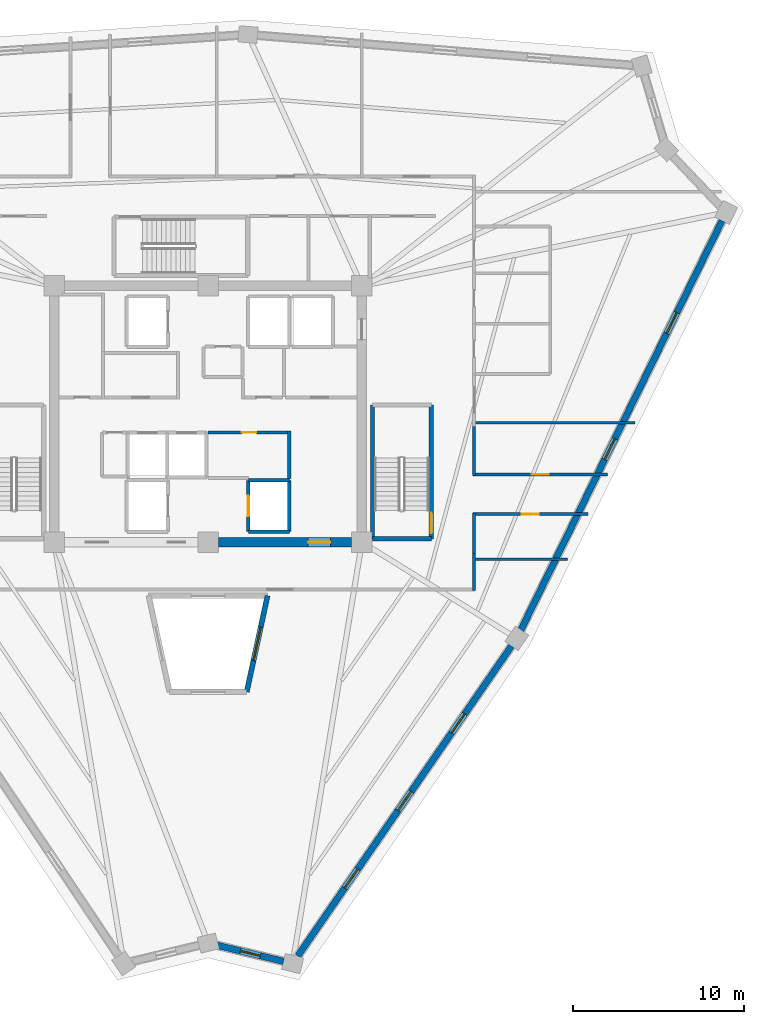
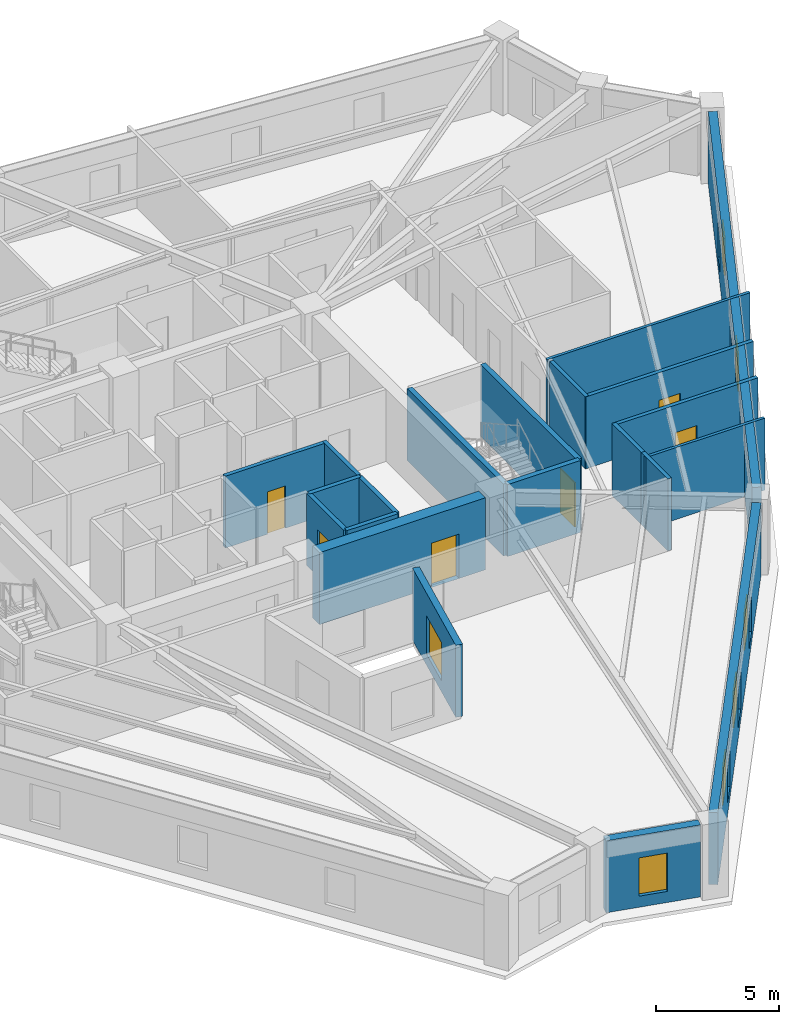
# One storey, part 4 of 8: 21 walls, 7 windows, 6 doors, 13 openings.
"""IFC4 building model written with IfcOpenShell, lengths in metres."""

from ifc_helpers import new_model, si_unit, direction, frame, frame_2d, origin, place, context, subcontext, project, spatial, rectangle, extrude, source, transform, mapped, material, layer, layer_set, type_object, element, fill, save


model = new_model("IFC4")

# Units and contexts
model_context = context("Model", 3, precision=1e-05, world=origin(), true_north=direction((0.0, 1.0)))
body_context = subcontext(model_context, "Body", "Model", "MODEL_VIEW")
ifc_project = project(units=[si_unit("LENGTHUNIT", "METRE"), si_unit("AREAUNIT", "SQUARE_METRE"), si_unit("VOLUMEUNIT", "CUBIC_METRE"), si_unit("PLANEANGLEUNIT", "RADIAN"), si_unit("MASSUNIT", "GRAM", prefix="KILO")], contexts=[model_context])

# Site, building, storey
site_placement = place(None, origin())
site = spatial("IfcSite", under=ifc_project, at=site_placement, CompositionType="ELEMENT")
building_placement = place(site_placement, origin())
building = spatial("IfcBuilding", under=site, at=building_placement, Name="Liaohun Quay Tower", CompositionType="ELEMENT")
storey_placement = place(building_placement, frame((0.0, 0.0, 301.5)))
storey = spatial("IfcBuildingStorey", under=building, at=storey_placement, Name="L78", CompositionType="ELEMENT", Elevation=301.5)

# Wall, opening, window
ifc_material_1 = material(Name="Concrete C50", Category="concrete")
ifc_layer_1 = layer(ifc_material_1, 0.300048828125, Name="Concrete C50", Category="concrete")
ifc_layer_set_1 = layer_set([ifc_layer_1], Name="Concrete C50")
wall_type_1 = type_object("IfcWallType", Name="WAL-ATR-300", PredefinedType="SOLIDWALL", material=ifc_layer_set_1)
wall_1_placement = place(storey_placement, frame((63.47900390625, 43.3701171875, 0.0), z_axis=(0.0, 0.0, 1.0), x_axis=(-0.211447694839, -0.977389314627, 0.0)))
wall_1 = element("IfcWall", 1, at=wall_1_placement, inside=storey, type_object=wall_type_1, Name="L78 Atrium Fire Compartment Wall 3", PredefinedType="SOLIDWALL", context=body_context, shape_type="SweptSolid", body=[
    extrude(rectangle(XDim=5.76025390625, YDim=0.300048828125, at=frame_2d((2.880126953125, 0.0))), origin(), (0.0, 0.0, 1.0), 3.570068359375),
])
shared_shape_1 = source(origin(), body_context, "Body", "SweptSolid", [
    extrude(rectangle(XDim=2.0, YDim=1.89990234375, at=frame_2d((1.0, 0.949951171875))), frame((0.0, 0.159912109375, 0.0), z_axis=(0.0, -1.0, 0.0), x_axis=(1.0, 0.0, 0.0)), (0.0, 0.0, 1.0), 0.320068359375),
])
opening_1_placement = place(wall_1_placement, frame((1.8798828125, 0.0, 0.550048828125)))
opening_1 = element("IfcOpeningElement", 2, at=opening_1_placement, cuts=wall_1, Name="Opening W07", PredefinedType="OPENING", context=body_context, shape_type="MappedRepresentation", body=[
    mapped(shared_shape_1, transform((0.0, 0.0, 0.0), x_axis=(1.0, 0.0, 0.0), y_axis=(0.0, 1.0, 0.0), z_axis=(0.0, 0.0, 1.0), scale=1.0)),
])
ifc_material_2 = material(Name="Class A 180-min fire-resistant insulated glazing", Category="glass")
window_type_1 = type_object("IfcWindowType", Name="WIN-ATR-FIR", PartitioningType="DOUBLE_PANEL_VERTICAL", PredefinedType="WINDOW", material=ifc_material_2)
shared_shape_2 = source(origin(), body_context, "Body", "SweptSolid", [
    extrude(rectangle(XDim=2.0, YDim=1.89990234375, at=frame_2d((1.0, 0.949951171875))), frame((0.0, 0.030029296875, 0.0), z_axis=(0.0, -1.0, 0.0), x_axis=(1.0, 0.0, 0.0)), (0.0, 0.0, 1.0), 0.06005859375),
])
window_1_placement = place(opening_1_placement, origin())
window_1 = element("IfcWindow", 3, at=window_1_placement, inside=storey, type_object=window_type_1, Name="L78 Atrium Fire-Resistant Glazing W07-3", OverallHeight=1.89990234375, OverallWidth=2.0, PartitioningType="DOUBLE_PANEL_VERTICAL", PredefinedType="WINDOW", context=body_context, shape_type="MappedRepresentation", body=[
    mapped(shared_shape_2, transform((0.0, 0.0, 0.0), x_axis=(1.0, 0.0, 0.0), y_axis=(0.0, 1.0, 0.0), z_axis=(0.0, 0.0, 1.0), scale=1.0)),
])
fill(opening_1, window_1)

# Wall, opening, door
ifc_layer_2 = layer(ifc_material_1, 0.550048828125, Name="Concrete C50", Category="concrete")
ifc_layer_set_2 = layer_set([ifc_layer_2], Name="Concrete C50")
wall_type_2 = type_object("IfcWallType", Name="WAL-COR-Z4", PredefinedType="SHEAR", material=ifc_layer_set_2)
wall_2_placement = place(storey_placement, frame((68.39990234375, 46.5, 0.0), z_axis=(0.0, 0.0, 1.0), x_axis=(-1.0, 0.0, 0.0)))
wall_2 = element("IfcWall", 4, at=wall_2_placement, inside=storey, type_object=wall_type_2, Name="L78 Central Core Shear Wall S-E", PredefinedType="SHEAR", context=body_context, shape_type="SweptSolid", body=[
    extrude(rectangle(XDim=7.7998046875, YDim=0.550048828125, at=frame_2d((3.89990234375, 0.0))), origin(), (0.0, 0.0, 1.0), 3.570068359375),
])
shared_shape_3 = source(origin(), body_context, "Body", "SweptSolid", [
    extrude(rectangle(XDim=1.300048828125, YDim=2.199951171875, at=frame_2d((0.64990234375, 1.10009765625))), frame((0.0, 0.284912109375, 0.0), z_axis=(0.0, -1.0, 0.0), x_axis=(1.0, 0.0, 0.0)), (0.0, 0.0, 1.0), 0.570068359375),
])
opening_2_placement = place(wall_2_placement, frame((1.25, 0.0, 0.0)))
opening_2 = element("IfcOpeningElement", 5, at=opening_2_placement, cuts=wall_2, Name="Opening FD1", PredefinedType="OPENING", context=body_context, shape_type="MappedRepresentation", body=[
    mapped(shared_shape_3, transform((0.0, 0.0, 0.0), x_axis=(1.0, 0.0, 0.0), y_axis=(0.0, 1.0, 0.0), z_axis=(0.0, 0.0, 1.0), scale=1.0)),
])
ifc_material_3 = material(Name="Galvanised steel smokeproof fire door", Category="steel")
door_type_1 = type_object("IfcDoorType", Name="DOR-FFL-1300", OperationType="NOTDEFINED", PredefinedType="DOOR", material=ifc_material_3)
shared_shape_4 = source(origin(), body_context, "Body", "SweptSolid", [
    extrude(rectangle(XDim=1.300048828125, YDim=2.199951171875, at=frame_2d((0.64990234375, 1.10009765625))), frame((0.0, 0.02490234375, 0.0), z_axis=(0.0, -1.0, 0.0), x_axis=(1.0, 0.0, 0.0)), (0.0, 0.0, 1.0), 0.050048828125),
])
door_1_placement = place(opening_2_placement, origin())
door_1 = element("IfcDoor", 6, at=door_1_placement, inside=storey, type_object=door_type_1, Name="L78 East Core Lift Lobby Smokeproof Door", OperationType="SINGLE_SWING_LEFT", OverallHeight=2.199951171875, OverallWidth=1.300048828125, PredefinedType="DOOR", context=body_context, shape_type="MappedRepresentation", body=[
    mapped(shared_shape_4, transform((0.0, 0.0, 0.0), x_axis=(1.0, 0.0, 0.0), y_axis=(0.0, 1.0, 0.0), z_axis=(0.0, 0.0, 1.0), scale=1.0)),
])
fill(opening_2, door_1)

# Wall, opening, window
ifc_material_4 = material(Name="Precast concrete C50 insulated sandwich", Category="concrete")
ifc_layer_3 = layer(ifc_material_4, 0.3798828125, Name="Precast concrete C50 insulated sandwich", Category="concrete")
ifc_layer_set_3 = layer_set([ifc_layer_3], Name="Precast concrete C50 insulated sandwich")
wall_type_3 = type_object("IfcWallType", Name="WAL-EXT-Z34", PredefinedType="SOLIDWALL", material=ifc_layer_set_3)
wall_3_placement = place(storey_placement, frame((60.52490234375, 22.9130859375, 0.0), z_axis=(0.0, 0.0, 1.0), x_axis=(0.972056339679, -0.234747678348, 0.0)))
wall_3 = element("IfcWall", 7, at=wall_3_placement, inside=storey, type_object=wall_type_3, Name="L78 Brutalist Precast Pier Wall 01", PredefinedType="SOLIDWALL", context=body_context, shape_type="SweptSolid", body=[
    extrude(rectangle(XDim=4.00927734375, YDim=0.3798828125, at=frame_2d((2.004638671875, 0.0))), origin(), (0.0, 0.0, 1.0), 3.570068359375),
])
shared_shape_5 = source(origin(), body_context, "Body", "SweptSolid", [
    extrude(rectangle(XDim=1.199951171875, YDim=1.89990234375, at=frame_2d((0.60009765625, 0.949951171875))), frame((0.0, 0.199951171875, 0.0), z_axis=(0.0, -1.0, 0.0), x_axis=(1.0, 0.0, 0.0)), (0.0, 0.0, 1.0), 0.39990234375),
])
opening_3_placement = place(wall_3_placement, frame((1.405029296875, 0.0, 0.550048828125)))
opening_3 = element("IfcOpeningElement", 8, at=opening_3_placement, cuts=wall_3, Name="Opening W05", PredefinedType="OPENING", context=body_context, shape_type="MappedRepresentation", body=[
    mapped(shared_shape_5, transform((0.0, 0.0, 0.0), x_axis=(1.0, 0.0, 0.0), y_axis=(0.0, 1.0, 0.0), z_axis=(0.0, 0.0, 1.0), scale=1.0)),
])
ifc_material_5 = material(Name="Triple Low-E corner notch glazing", Category="glass")
window_type_2 = type_object("IfcWindowType", Name="WIN-NOTCH", PartitioningType="SINGLE_PANEL", PredefinedType="WINDOW", material=ifc_material_5)
shared_shape_6 = source(origin(), body_context, "Body", "SweptSolid", [
    extrude(rectangle(XDim=1.199951171875, YDim=1.89990234375, at=frame_2d((0.60009765625, 0.949951171875))), frame((0.0, 0.030029296875, 0.0), z_axis=(0.0, -1.0, 0.0), x_axis=(1.0, 0.0, 0.0)), (0.0, 0.0, 1.0), 0.06005859375),
])
window_2_placement = place(opening_3_placement, origin())
window_2 = element("IfcWindow", 9, at=window_2_placement, inside=storey, type_object=window_type_2, Name="L78 Corner Notch Window W05-01", OverallHeight=1.89990234375, OverallWidth=1.199951171875, PartitioningType="SINGLE_PANEL", PredefinedType="WINDOW", context=body_context, shape_type="MappedRepresentation", body=[
    mapped(shared_shape_6, transform((0.0, 0.0, 0.0), x_axis=(1.0, 0.0, 0.0), y_axis=(0.0, 1.0, 0.0), z_axis=(0.0, 0.0, 1.0), scale=1.0)),
])
fill(opening_3, window_2)

# Wall, openings, windows
wall_4_placement = place(storey_placement, frame((65.2529296875, 22.2900390625, 0.0), z_axis=(0.0, 0.0, 1.0), x_axis=(0.567535350135, 0.823349030695, 0.0)))
wall_4 = element("IfcWall", 10, at=wall_4_placement, inside=storey, type_object=wall_type_3, Name="L78 Brutalist Precast Pier Wall 02", PredefinedType="SOLIDWALL", context=body_context, shape_type="SweptSolid", body=[
    extrude(rectangle(XDim=22.03076171875, YDim=0.3798828125, at=frame_2d((11.015380859375, 0.0))), origin(), (0.0, 0.0, 1.0), 3.570068359375),
])
shared_shape_7 = source(origin(), body_context, "Body", "SweptSolid", [
    extrude(rectangle(XDim=1.35009765625, YDim=1.85009765625, at=frame_2d((0.675048828125, 0.925048828125))), frame((0.0, 0.199951171875, 0.0), z_axis=(0.0, -1.0, 0.0), x_axis=(1.0, 0.0, 0.0)), (0.0, 0.0, 1.0), 0.39990234375),
])
opening_4_placement = place(wall_4_placement, frame((4.8330078125, 0.0, 0.550048828125)))
opening_4 = element("IfcOpeningElement", 11, at=opening_4_placement, cuts=wall_4, Name="Opening W04", PredefinedType="OPENING", context=body_context, shape_type="MappedRepresentation", body=[
    mapped(shared_shape_7, transform((0.0, 0.0, 0.0), x_axis=(1.0, 0.0, 0.0), y_axis=(0.0, 1.0, 0.0), z_axis=(0.0, 0.0, 1.0), scale=1.0)),
])
opening_5_placement = place(wall_4_placement, frame((10.340087890625, 0.0, 0.550048828125)))
opening_5 = element("IfcOpeningElement", 12, at=opening_5_placement, cuts=wall_4, Name="Opening W04", PredefinedType="OPENING", context=body_context, shape_type="MappedRepresentation", body=[
    mapped(shared_shape_7, transform((0.0, 0.0, 0.0), x_axis=(1.0, 0.0, 0.0), y_axis=(0.0, 1.0, 0.0), z_axis=(0.0, 0.0, 1.0), scale=1.0)),
])
opening_6_placement = place(wall_4_placement, frame((15.847900390625, 0.0, 0.550048828125)))
opening_6 = element("IfcOpeningElement", 13, at=opening_6_placement, cuts=wall_4, Name="Opening W04", PredefinedType="OPENING", context=body_context, shape_type="MappedRepresentation", body=[
    mapped(shared_shape_7, transform((0.0, 0.0, 0.0), x_axis=(1.0, 0.0, 0.0), y_axis=(0.0, 1.0, 0.0), z_axis=(0.0, 0.0, 1.0), scale=1.0)),
])
ifc_material_6 = material(Name="Triple Low-E argon glazing in thermally broken aluminium", Category="aluminium")
window_type_3 = type_object("IfcWindowType", Name="WIN-PUN-Z4", PartitioningType="SINGLE_PANEL", PredefinedType="WINDOW", material=ifc_material_6)
shared_shape_8 = source(origin(), body_context, "Body", "SweptSolid", [
    extrude(rectangle(XDim=1.35009765625, YDim=1.85009765625, at=frame_2d((0.675048828125, 0.925048828125))), frame((0.0, 0.030029296875, 0.0), z_axis=(0.0, -1.0, 0.0), x_axis=(1.0, 0.0, 0.0)), (0.0, 0.0, 1.0), 0.06005859375),
])
window_3_placement = place(opening_4_placement, origin())
window_3 = element("IfcWindow", 14, at=window_3_placement, inside=storey, type_object=window_type_3, Name="L78 Recessed Cold-Climate Punched Window 02-1", OverallHeight=1.85009765625, OverallWidth=1.35009765625, PartitioningType="SINGLE_PANEL", PredefinedType="WINDOW", context=body_context, shape_type="MappedRepresentation", body=[
    mapped(shared_shape_8, transform((0.0, 0.0, 0.0), x_axis=(1.0, 0.0, 0.0), y_axis=(0.0, 1.0, 0.0), z_axis=(0.0, 0.0, 1.0), scale=1.0)),
])
fill(opening_4, window_3)
window_4_placement = place(opening_5_placement, origin())
window_4 = element("IfcWindow", 15, at=window_4_placement, inside=storey, type_object=window_type_3, Name="L78 Recessed Cold-Climate Punched Window 02-2", OverallHeight=1.85009765625, OverallWidth=1.35009765625, PartitioningType="SINGLE_PANEL", PredefinedType="WINDOW", context=body_context, shape_type="MappedRepresentation", body=[
    mapped(shared_shape_8, transform((0.0, 0.0, 0.0), x_axis=(1.0, 0.0, 0.0), y_axis=(0.0, 1.0, 0.0), z_axis=(0.0, 0.0, 1.0), scale=1.0)),
])
fill(opening_5, window_4)
window_5_placement = place(opening_6_placement, origin())
window_5 = element("IfcWindow", 16, at=window_5_placement, inside=storey, type_object=window_type_3, Name="L78 Recessed Cold-Climate Punched Window 02-3", OverallHeight=1.85009765625, OverallWidth=1.35009765625, PartitioningType="SINGLE_PANEL", PredefinedType="WINDOW", context=body_context, shape_type="MappedRepresentation", body=[
    mapped(shared_shape_8, transform((0.0, 0.0, 0.0), x_axis=(1.0, 0.0, 0.0), y_axis=(0.0, 1.0, 0.0), z_axis=(0.0, 0.0, 1.0), scale=1.0)),
])
fill(opening_6, window_5)

wall_5_placement = place(storey_placement, frame((78.300048828125, 41.35888671875, 0.0), z_axis=(0.0, 0.0, 1.0), x_axis=(0.441159552697, 0.897428687453, 0.0)))
wall_5 = element("IfcWall", 17, at=wall_5_placement, inside=storey, type_object=wall_type_3, Name="L78 Brutalist Precast Pier Wall 03", PredefinedType="SOLIDWALL", context=body_context, shape_type="SweptSolid", body=[
    extrude(rectangle(XDim=26.693115234375, YDim=0.3798828125, at=frame_2d((13.3466796875, 0.0))), origin(), (0.0, 0.0, 1.0), 3.570068359375),
])
opening_7_placement = place(wall_5_placement, frame((11.12109375, 0.0, 0.550048828125)))
opening_7 = element("IfcOpeningElement", 18, at=opening_7_placement, cuts=wall_5, Name="Opening W04", PredefinedType="OPENING", context=body_context, shape_type="MappedRepresentation", body=[
    mapped(shared_shape_7, transform((0.0, 0.0, 0.0), x_axis=(1.0, 0.0, 0.0), y_axis=(0.0, 1.0, 0.0), z_axis=(0.0, 0.0, 1.0), scale=1.0)),
])
opening_8_placement = place(wall_5_placement, frame((19.344970703125, 0.0, 0.550048828125)))
opening_8 = element("IfcOpeningElement", 19, at=opening_8_placement, cuts=wall_5, Name="Opening W04", PredefinedType="OPENING", context=body_context, shape_type="MappedRepresentation", body=[
    mapped(shared_shape_7, transform((0.0, 0.0, 0.0), x_axis=(1.0, 0.0, 0.0), y_axis=(0.0, 1.0, 0.0), z_axis=(0.0, 0.0, 1.0), scale=1.0)),
])
window_6_placement = place(opening_7_placement, origin())
window_6 = element("IfcWindow", 20, at=window_6_placement, inside=storey, type_object=window_type_3, Name="L78 Recessed Cold-Climate Punched Window 03-2", OverallHeight=1.85009765625, OverallWidth=1.35009765625, PartitioningType="SINGLE_PANEL", PredefinedType="WINDOW", context=body_context, shape_type="MappedRepresentation", body=[
    mapped(shared_shape_8, transform((0.0, 0.0, 0.0), x_axis=(1.0, 0.0, 0.0), y_axis=(0.0, 1.0, 0.0), z_axis=(0.0, 0.0, 1.0), scale=1.0)),
])
fill(opening_7, window_6)
window_7_placement = place(opening_8_placement, origin())
window_7 = element("IfcWindow", 21, at=window_7_placement, inside=storey, type_object=window_type_3, Name="L78 Recessed Cold-Climate Punched Window 03-3", OverallHeight=1.85009765625, OverallWidth=1.35009765625, PartitioningType="SINGLE_PANEL", PredefinedType="WINDOW", context=body_context, shape_type="MappedRepresentation", body=[
    mapped(shared_shape_8, transform((0.0, 0.0, 0.0), x_axis=(1.0, 0.0, 0.0), y_axis=(0.0, 1.0, 0.0), z_axis=(0.0, 0.0, 1.0), scale=1.0)),
])
fill(opening_8, window_7)

# Wall, opening, door
ifc_material_7 = material(Name="Autoclaved aerated concrete blockwork", Category="masonry")
ifc_layer_4 = layer(ifc_material_7, 0.179931640625, Name="Autoclaved aerated concrete blockwork", Category="masonry")
ifc_layer_set_4 = layer_set([ifc_layer_4], Name="Autoclaved aerated concrete blockwork")
wall_type_4 = type_object("IfcWallType", Name="WAL-PRT-COR", PredefinedType="PARTITIONING", material=ifc_layer_set_4)
wall_6_placement = place(storey_placement, frame((60.0, 52.919921875, 0.0), z_axis=(0.0, 0.0, 1.0), x_axis=(1.0, 0.0, 0.0)))
wall_6 = element("IfcWall", 22, at=wall_6_placement, inside=storey, type_object=wall_type_4, Name="L78 Interior Partition Wall 001", PredefinedType="PARTITIONING", context=body_context, shape_type="SweptSolid", body=[
    extrude(rectangle(XDim=4.659912109375, YDim=0.179931640625, at=frame_2d((2.330078125, 0.0))), origin(), (0.0, 0.0, 1.0), 3.570068359375),
])
shared_shape_9 = source(origin(), body_context, "Body", "SweptSolid", [
    extrude(rectangle(XDim=0.85009765625, YDim=2.10009765625, at=frame_2d((0.425048828125, 1.050048828125))), frame((0.0, 0.099853515625, 0.0), z_axis=(0.0, -1.0, 0.0), x_axis=(1.0, 0.0, 0.0)), (0.0, 0.0, 1.0), 0.199951171875),
])
opening_9_placement = place(wall_6_placement, frame((1.97509765625, 0.0, 0.0)))
opening_9 = element("IfcOpeningElement", 23, at=opening_9_placement, cuts=wall_6, Name="Opening AD1", PredefinedType="OPENING", context=body_context, shape_type="MappedRepresentation", body=[
    mapped(shared_shape_9, transform((0.0, 0.0, 0.0), x_axis=(1.0, 0.0, 0.0), y_axis=(0.0, 1.0, 0.0), z_axis=(0.0, 0.0, 1.0), scale=1.0)),
])
ifc_material_8 = material(Name="Steel riser inspection fire door", Category="steel")
door_type_2 = type_object("IfcDoorType", Name="DOR-SHF-850", OperationType="NOTDEFINED", PredefinedType="DOOR", material=ifc_material_8)
shared_shape_10 = source(origin(), body_context, "Body", "SweptSolid", [
    extrude(rectangle(XDim=0.85009765625, YDim=2.10009765625, at=frame_2d((0.425048828125, 1.050048828125))), frame((0.0, 0.02490234375, 0.0), z_axis=(0.0, -1.0, 0.0), x_axis=(1.0, 0.0, 0.0)), (0.0, 0.0, 1.0), 0.050048828125),
])
door_2_placement = place(opening_9_placement, origin())
door_2 = element("IfcDoor", 24, at=door_2_placement, inside=storey, type_object=door_type_2, Name="L78 Core High-Zone BMS and Switch Room Door", OperationType="SINGLE_SWING_LEFT", OverallHeight=2.10009765625, OverallWidth=0.85009765625, PredefinedType="DOOR", context=body_context, shape_type="MappedRepresentation", body=[
    mapped(shared_shape_10, transform((0.0, 0.0, 0.0), x_axis=(1.0, 0.0, 0.0), y_axis=(0.0, 1.0, 0.0), z_axis=(0.0, 0.0, 1.0), scale=1.0)),
])
fill(opening_9, door_2)

wall_7_placement = place(storey_placement, frame((82.22705078125, 48.139892578125, 0.0), z_axis=(0.0, 0.0, 1.0), x_axis=(-1.0, 0.0, 0.0)))
wall_7 = element("IfcWall", 25, at=wall_7_placement, inside=storey, type_object=wall_type_4, Name="L78 Interior Partition Wall 025", PredefinedType="PARTITIONING", context=body_context, shape_type="SweptSolid", body=[
    extrude(rectangle(XDim=6.737060546875, YDim=0.179931640625, at=frame_2d((3.36865234375, 0.0))), origin(), (0.0, 0.0, 1.0), 3.570068359375),
])
shared_shape_11 = source(origin(), body_context, "Body", "SweptSolid", [
    extrude(rectangle(XDim=1.0, YDim=2.199951171875, at=frame_2d((0.5, 1.10009765625))), frame((0.0, 0.099853515625, 0.0), z_axis=(0.0, -1.0, 0.0), x_axis=(1.0, 0.0, 0.0)), (0.0, 0.0, 1.0), 0.199951171875),
])
opening_10_placement = place(wall_7_placement, frame((2.868896484375, 0.0, 0.0)))
opening_10 = element("IfcOpeningElement", 26, at=opening_10_placement, cuts=wall_7, Name="Opening OD1", PredefinedType="OPENING", context=body_context, shape_type="MappedRepresentation", body=[
    mapped(shared_shape_11, transform((0.0, 0.0, 0.0), x_axis=(1.0, 0.0, 0.0), y_axis=(0.0, 1.0, 0.0), z_axis=(0.0, 0.0, 1.0), scale=1.0)),
])
ifc_material_9 = material(Name="Solid-core oak veneer timber leaf in steel frame", Category="steel")
door_type_3 = type_object("IfcDoorType", Name="DOR-OFF-1000", OperationType="NOTDEFINED", PredefinedType="DOOR", material=ifc_material_9)
shared_shape_12 = source(origin(), body_context, "Body", "SweptSolid", [
    extrude(rectangle(XDim=1.0, YDim=2.199951171875, at=frame_2d((0.5, 1.10009765625))), frame((0.0, 0.02490234375, 0.0), z_axis=(0.0, -1.0, 0.0), x_axis=(1.0, 0.0, 0.0)), (0.0, 0.0, 1.0), 0.050048828125),
])
door_3_placement = place(opening_10_placement, origin())
door_3 = element("IfcDoor", 27, at=door_3_placement, inside=storey, type_object=door_type_3, Name="L78 Executive Partner Office 11 Door", OperationType="SINGLE_SWING_LEFT", OverallHeight=2.199951171875, OverallWidth=1.0, PredefinedType="DOOR", context=body_context, shape_type="MappedRepresentation", body=[
    mapped(shared_shape_12, transform((0.0, 0.0, 0.0), x_axis=(1.0, 0.0, 0.0), y_axis=(0.0, 1.0, 0.0), z_axis=(0.0, 0.0, 1.0), scale=1.0)),
])
fill(opening_10, door_3)

wall_8_placement = place(storey_placement, frame((75.489990234375, 50.4599609375, 0.0), z_axis=(0.0, 0.0, 1.0), x_axis=(1.0, 0.0, 0.0)))
wall_8 = element("IfcWall", 28, at=wall_8_placement, inside=storey, type_object=wall_type_4, Name="L78 Interior Partition Wall 026", PredefinedType="PARTITIONING", context=body_context, shape_type="SweptSolid", body=[
    extrude(rectangle(XDim=7.876953125, YDim=0.179931640625, at=frame_2d((3.9384765625, 0.0))), origin(), (0.0, 0.0, 1.0), 3.570068359375),
])
opening_11_placement = place(wall_8_placement, frame((3.43896484375, 0.0, 0.0)))
opening_11 = element("IfcOpeningElement", 29, at=opening_11_placement, cuts=wall_8, Name="Opening OD1", PredefinedType="OPENING", context=body_context, shape_type="MappedRepresentation", body=[
    mapped(shared_shape_11, transform((0.0, 0.0, 0.0), x_axis=(1.0, 0.0, 0.0), y_axis=(0.0, 1.0, 0.0), z_axis=(0.0, 0.0, 1.0), scale=1.0)),
])
door_4_placement = place(opening_11_placement, origin())
door_4 = element("IfcDoor", 30, at=door_4_placement, inside=storey, type_object=door_type_3, Name="L78 Client Reception Office 12 Door", OperationType="SINGLE_SWING_RIGHT", OverallHeight=2.199951171875, OverallWidth=1.0, PredefinedType="DOOR", context=body_context, shape_type="MappedRepresentation", body=[
    mapped(shared_shape_12, transform((0.0, 0.0, 0.0), x_axis=(1.0, 0.0, 0.0), y_axis=(0.0, 1.0, 0.0), z_axis=(0.0, 0.0, 1.0), scale=1.0)),
])
fill(opening_11, door_4)

# Walls
wall_9_placement = place(storey_placement, frame((75.56005859375, 45.8349609375, 0.0), z_axis=(0.0, 0.0, 1.0), x_axis=(0.0, -1.0, 0.0)))
element("IfcWall", 31, at=wall_9_placement, inside=storey, type_object=wall_type_4, Name="L78 Interior Partition Wall 045", PredefinedType="PARTITIONING", context=body_context, shape_type="SweptSolid", body=[
    extrude(rectangle(XDim=2.1650390625, YDim=0.179931640625, at=frame_2d((1.08251953125, 0.0))), origin(), (0.0, 0.0, 1.0), 3.570068359375),
])
wall_10_placement = place(storey_placement, frame((75.56005859375, 48.2099609375, 0.0), z_axis=(0.0, 0.0, 1.0), x_axis=(0.0, -1.0, 0.0)))
element("IfcWall", 32, at=wall_10_placement, inside=storey, type_object=wall_type_4, Name="L78 Interior Partition Wall 047", PredefinedType="PARTITIONING", context=body_context, shape_type="SweptSolid", body=[
    extrude(rectangle(XDim=2.375, YDim=0.179931640625, at=frame_2d((1.1875, 0.0))), origin(), (0.0, 0.0, 1.0), 3.570068359375),
])
wall_11_placement = place(storey_placement, frame((75.56005859375, 53.284912109375, 0.0), z_axis=(0.0, 0.0, 1.0), x_axis=(0.0, -1.0, 0.0)))
element("IfcWall", 33, at=wall_11_placement, inside=storey, type_object=wall_type_4, Name="L78 Interior Partition Wall 048", PredefinedType="PARTITIONING", context=body_context, shape_type="SweptSolid", body=[
    extrude(rectangle(XDim=2.89501953125, YDim=0.179931640625, at=frame_2d((1.447509765625, 0.0))), origin(), (0.0, 0.0, 1.0), 3.570068359375),
])
wall_12_placement = place(storey_placement, frame((64.75, 50.219970703125, 0.0), z_axis=(0.0, 0.0, 1.0), x_axis=(0.0, 1.0, 0.0)))
element("IfcWall", 34, at=wall_12_placement, inside=storey, type_object=wall_type_4, Name="L78 Interior Partition Wall 059", PredefinedType="PARTITIONING", context=body_context, shape_type="SweptSolid", body=[
    extrude(rectangle(XDim=2.7900390625, YDim=0.179931640625, at=frame_2d((1.39501953125, 0.0))), origin(), (0.0, 0.0, 1.0), 3.570068359375),
])
ifc_material_10 = material(Name="Gypsum board on twin steel studs", Category="steel")
ifc_layer_5 = layer(ifc_material_10, 0.139892578125, Name="Gypsum board on twin steel studs", Category="steel")
ifc_layer_set_5 = layer_set([ifc_layer_5], Name="Gypsum board on twin steel studs")
wall_type_5 = type_object("IfcWallType", Name="WAL-PRT-OFF", PredefinedType="PARTITIONING", material=ifc_layer_set_5)
wall_13_placement = place(storey_placement, frame((75.4599609375, 45.5, 0.0), z_axis=(0.0, 0.0, 1.0), x_axis=(1.0, 0.0, 0.0)))
element("IfcWall", 35, at=wall_13_placement, inside=storey, type_object=wall_type_5, Name="L78 Interior Partition Wall 054", PredefinedType="PARTITIONING", context=body_context, shape_type="SweptSolid", body=[
    extrude(rectangle(XDim=5.578125, YDim=0.139892578125, at=frame_2d((2.7890625, 0.0))), origin(), (0.0, 0.0, 1.0), 3.570068359375),
])
wall_14_placement = place(storey_placement, frame((75.4599609375, 53.5, 0.0), z_axis=(0.0, 0.0, 1.0), x_axis=(1.0, 0.0, 0.0)))
element("IfcWall", 36, at=wall_14_placement, inside=storey, type_object=wall_type_5, Name="L78 Interior Partition Wall 055", PredefinedType="PARTITIONING", context=body_context, shape_type="SweptSolid", body=[
    extrude(rectangle(XDim=9.510009765625, YDim=0.139892578125, at=frame_2d((4.7548828125, 0.0))), origin(), (0.0, 0.0, 1.0), 3.570068359375),
])
ifc_layer_6 = layer(ifc_material_1, 0.239990234375, Name="Concrete C50", Category="concrete")
ifc_layer_set_6 = layer_set([ifc_layer_6], Name="Concrete C50")
wall_type_6 = type_object("IfcWallType", Name="WAL-SHF-200", PredefinedType="SOLIDWALL", material=ifc_layer_set_6)
wall_15_placement = place(storey_placement, frame((69.6201171875, 46.699951171875, 0.0), z_axis=(0.0, 0.0, 1.0), x_axis=(1.0, 0.0, 0.0)))
element("IfcWall", 37, at=wall_15_placement, inside=storey, type_object=wall_type_6, Name="L78 Stairwell ST-2 Structural Core Wall S", PredefinedType="SOLIDWALL", context=body_context, shape_type="SweptSolid", body=[
    extrude(rectangle(XDim=3.43994140625, YDim=0.239990234375, at=frame_2d((1.719970703125, 0.0))), origin(), (0.0, 0.0, 1.0), 3.570068359375),
])

# Wall, opening, door
wall_16_placement = place(storey_placement, frame((73.06005859375, 46.699951171875, 0.0), z_axis=(0.0, 0.0, 1.0), x_axis=(0.0, 1.0, 0.0)))
wall_16 = element("IfcWall", 38, at=wall_16_placement, inside=storey, type_object=wall_type_6, Name="L78 Stairwell ST-2 Structural Core Wall E", PredefinedType="SOLIDWALL", context=body_context, shape_type="SweptSolid", body=[
    extrude(rectangle(XDim=7.820068359375, YDim=0.239990234375, at=frame_2d((3.91015625, 0.0))), origin(), (0.0, 0.0, 1.0), 3.570068359375),
])
shared_shape_13 = source(origin(), body_context, "Body", "SweptSolid", [
    extrude(rectangle(XDim=1.199951171875, YDim=2.199951171875, at=frame_2d((0.60009765625, 1.10009765625))), frame((0.0, 0.1298828125, 0.0), z_axis=(0.0, -1.0, 0.0), x_axis=(1.0, 0.0, 0.0)), (0.0, 0.0, 1.0), 0.260009765625),
])
opening_12_placement = place(wall_16_placement, frame((0.320068359375, 0.0, 0.0)))
opening_12 = element("IfcOpeningElement", 39, at=opening_12_placement, cuts=wall_16, Name="Opening SD1", PredefinedType="OPENING", context=body_context, shape_type="MappedRepresentation", body=[
    mapped(shared_shape_13, transform((0.0, 0.0, 0.0), x_axis=(1.0, 0.0, 0.0), y_axis=(0.0, 1.0, 0.0), z_axis=(0.0, 0.0, 1.0), scale=1.0)),
])
ifc_material_11 = material(Name="Galvanised steel fire door", Category="steel")
door_type_4 = type_object("IfcDoorType", Name="DOR-STR-1200", OperationType="NOTDEFINED", PredefinedType="DOOR", material=ifc_material_11)
shared_shape_14 = source(origin(), body_context, "Body", "SweptSolid", [
    extrude(rectangle(XDim=1.199951171875, YDim=2.199951171875, at=frame_2d((0.60009765625, 1.10009765625))), frame((0.0, 0.02490234375, 0.0), z_axis=(0.0, -1.0, 0.0), x_axis=(1.0, 0.0, 0.0)), (0.0, 0.0, 1.0), 0.050048828125),
])
door_5_placement = place(opening_12_placement, origin())
door_5 = element("IfcDoor", 40, at=door_5_placement, inside=storey, type_object=door_type_4, Name="L78 Protected Stair ST-2 Fire Door", OperationType="SINGLE_SWING_RIGHT", OverallHeight=2.199951171875, OverallWidth=1.199951171875, PredefinedType="DOOR", context=body_context, shape_type="MappedRepresentation", body=[
    mapped(shared_shape_14, transform((0.0, 0.0, 0.0), x_axis=(1.0, 0.0, 0.0), y_axis=(0.0, 1.0, 0.0), z_axis=(0.0, 0.0, 1.0), scale=1.0)),
])
fill(opening_12, door_5)

# Walls
wall_17_placement = place(storey_placement, frame((69.6201171875, 54.52001953125, 0.0), z_axis=(0.0, 0.0, 1.0), x_axis=(0.0, -1.0, 0.0)))
element("IfcWall", 41, at=wall_17_placement, inside=storey, type_object=wall_type_6, Name="L78 Stairwell ST-2 Structural Core Wall W", PredefinedType="SOLIDWALL", context=body_context, shape_type="SweptSolid", body=[
    extrude(rectangle(XDim=7.820068359375, YDim=0.239990234375, at=frame_2d((3.91015625, 0.0))), origin(), (0.0, 0.0, 1.0), 3.570068359375),
])
wall_18_placement = place(storey_placement, frame((62.35009765625, 47.1201171875, 0.0), z_axis=(0.0, 0.0, 1.0), x_axis=(1.0, 0.0, 0.0)))
element("IfcWall", 42, at=wall_18_placement, inside=storey, type_object=wall_type_6, Name="L78 Lift FF-02 Hoistway Wall S", PredefinedType="SOLIDWALL", context=body_context, shape_type="SweptSolid", body=[
    extrude(rectangle(XDim=2.39990234375, YDim=0.199951171875, at=frame_2d((1.199951171875, 0.0))), origin(), (0.0, 0.0, 1.0), 3.570068359375),
])
wall_19_placement = place(storey_placement, frame((64.75, 47.1201171875, 0.0), z_axis=(0.0, 0.0, 1.0), x_axis=(0.0, 1.0, 0.0)))
element("IfcWall", 43, at=wall_19_placement, inside=storey, type_object=wall_type_6, Name="L78 Lift FF-02 Hoistway Wall E", PredefinedType="SOLIDWALL", context=body_context, shape_type="SweptSolid", body=[
    extrude(rectangle(XDim=3.0, YDim=0.199951171875, at=frame_2d((1.5, 0.0))), origin(), (0.0, 0.0, 1.0), 3.570068359375),
])
wall_20_placement = place(storey_placement, frame((64.75, 50.1201171875, 0.0), z_axis=(0.0, 0.0, 1.0), x_axis=(-1.0, 0.0, 0.0)))
element("IfcWall", 44, at=wall_20_placement, inside=storey, type_object=wall_type_6, Name="L78 Lift FF-02 Hoistway Wall N", PredefinedType="SOLIDWALL", context=body_context, shape_type="SweptSolid", body=[
    extrude(rectangle(XDim=2.39990234375, YDim=0.199951171875, at=frame_2d((1.199951171875, 0.0))), origin(), (0.0, 0.0, 1.0), 3.570068359375),
])

# Wall, opening, door
wall_21_placement = place(storey_placement, frame((62.35009765625, 50.1201171875, 0.0), z_axis=(0.0, 0.0, 1.0), x_axis=(0.0, -1.0, 0.0)))
wall_21 = element("IfcWall", 45, at=wall_21_placement, inside=storey, type_object=wall_type_6, Name="L78 Lift FF-02 Hoistway Wall W", PredefinedType="SOLIDWALL", context=body_context, shape_type="SweptSolid", body=[
    extrude(rectangle(XDim=3.0, YDim=0.199951171875, at=frame_2d((1.5, 0.0))), origin(), (0.0, 0.0, 1.0), 3.570068359375),
])
shared_shape_15 = source(origin(), body_context, "Body", "SweptSolid", [
    extrude(rectangle(XDim=1.199951171875, YDim=2.300048828125, at=frame_2d((0.60009765625, 1.14990234375))), frame((0.0, 0.10986328125, 0.0), z_axis=(0.0, -1.0, 0.0), x_axis=(1.0, 0.0, 0.0)), (0.0, 0.0, 1.0), 0.219970703125),
])
opening_13_placement = place(wall_21_placement, frame((0.89990234375, 0.0, 0.0)))
opening_13 = element("IfcOpeningElement", 46, at=opening_13_placement, cuts=wall_21, Name="Opening LD2", PredefinedType="OPENING", context=body_context, shape_type="MappedRepresentation", body=[
    mapped(shared_shape_15, transform((0.0, 0.0, 0.0), x_axis=(1.0, 0.0, 0.0), y_axis=(0.0, 1.0, 0.0), z_axis=(0.0, 0.0, 1.0), scale=1.0)),
])
ifc_material_12 = material(Name="Brushed stainless steel stretcher landing door", Category="steel")
door_type_5 = type_object("IfcDoorType", Name="DOR-LFT-1200", OperationType="SLIDING_TO_LEFT", PredefinedType="DOOR", material=ifc_material_12)
shared_shape_16 = source(origin(), body_context, "Body", "SweptSolid", [
    extrude(rectangle(XDim=1.199951171875, YDim=2.300048828125, at=frame_2d((0.60009765625, 1.14990234375))), frame((0.0, 0.02490234375, 0.0), z_axis=(0.0, -1.0, 0.0), x_axis=(1.0, 0.0, 0.0)), (0.0, 0.0, 1.0), 0.050048828125),
])
door_6_placement = place(opening_13_placement, origin())
door_6 = element("IfcDoor", 47, at=door_6_placement, inside=storey, type_object=door_type_5, Name="L78 Lift FF-02 Sliding Landing Door", OperationType="SLIDING_TO_LEFT", OverallHeight=2.300048828125, OverallWidth=1.199951171875, PredefinedType="DOOR", context=body_context, shape_type="MappedRepresentation", body=[
    mapped(shared_shape_16, transform((0.0, 0.0, 0.0), x_axis=(1.0, 0.0, 0.0), y_axis=(0.0, 1.0, 0.0), z_axis=(0.0, 0.0, 1.0), scale=1.0)),
])
fill(opening_13, door_6)

save(model, "model.ifc")
